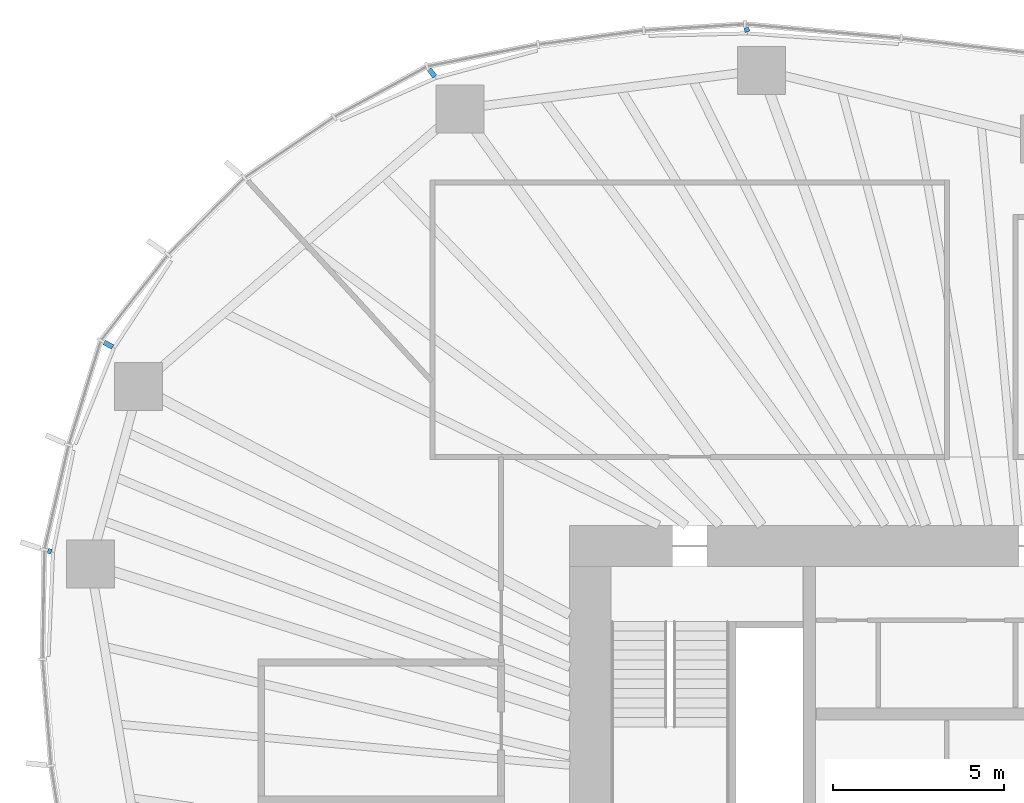
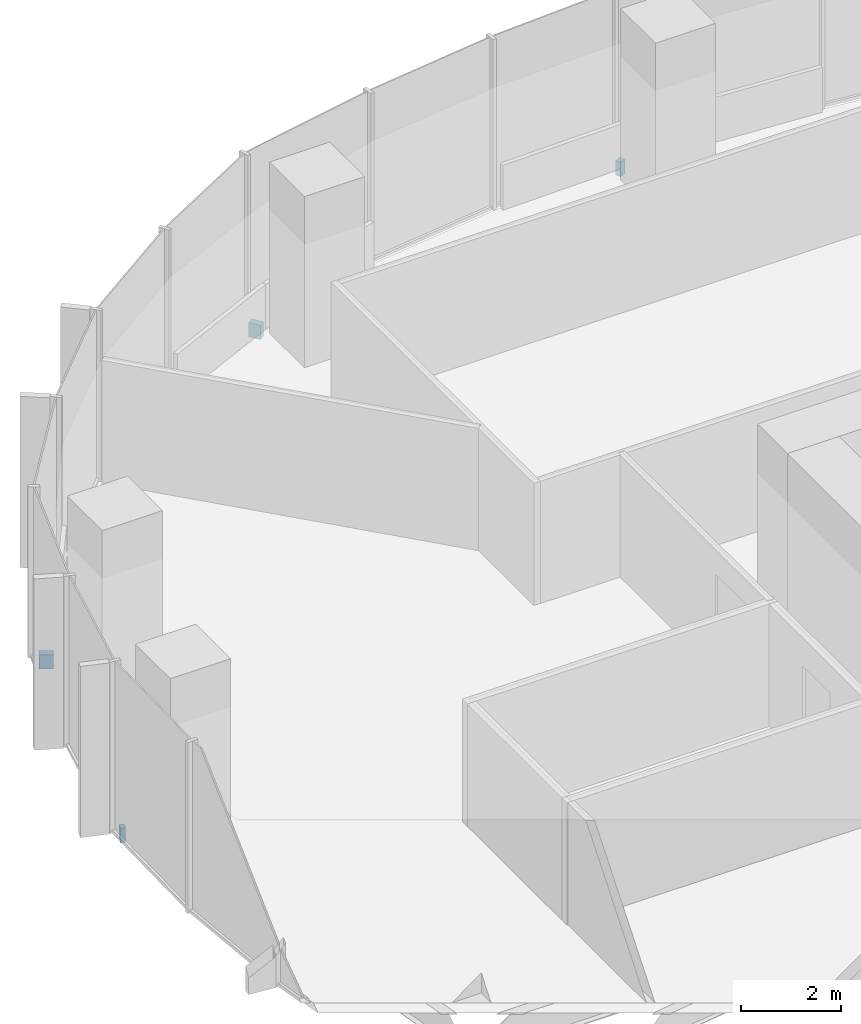
# One storey, part 15 of 18: 4 discrete accessories.
"""IFC4 building model written with IfcOpenShell, lengths in metres."""

from ifc_helpers import new_model, si_unit, direction, frame, origin, origin_2d, place, context, subcontext, project, spatial, rectangle, extrude, material, type_object, element, save


model = new_model("IFC4")

# Units and contexts
model_context = context("Model", 3, precision=1e-05, world=origin(), true_north=direction((0.0, 1.0)))
body_context = subcontext(model_context, "Body", "Model", "MODEL_VIEW")
ifc_project = project(units=[si_unit("LENGTHUNIT", "METRE"), si_unit("AREAUNIT", "SQUARE_METRE"), si_unit("VOLUMEUNIT", "CUBIC_METRE"), si_unit("PLANEANGLEUNIT", "RADIAN"), si_unit("MASSUNIT", "GRAM", prefix="KILO")], contexts=[model_context])

# Site, building, storey
site_placement = place(None, origin())
site = spatial("IfcSite", under=ifc_project, at=site_placement, CompositionType="ELEMENT")
building_placement = place(site_placement, origin())
building = spatial("IfcBuilding", under=site, at=building_placement, Name="Ghaith Harvest Tower", CompositionType="ELEMENT")
storey_placement = place(building_placement, frame((0.0, 0.0, 147.0)))
storey = spatial("IfcBuildingStorey", under=building, at=storey_placement, Name="L31", CompositionType="ELEMENT", Elevation=147.0)

# Discrete accessories
ifc_material_1 = material(Name="Stainless steel grade 1.4401", Category="steel")
discrete_accessory_type_1 = type_object("IfcDiscreteAccessoryType", Name="CURTAIN WALL BRACKET 105", PredefinedType="BRACKET", material=ifc_material_1)
discrete_accessory_1_placement = place(storey_placement, frame((-29.171875, 9.2451171875, -0.25), z_axis=(0.0, 0.0, 1.0), x_axis=(-0.953273219358, 0.302109531884, 0.0)))
element("IfcDiscreteAccessory", 1, at=discrete_accessory_1_placement, inside=storey, type_object=discrete_accessory_type_1, Name="CW-L bracket 1 bay 10 L31", PredefinedType="BRACKET", context=body_context, shape_type="SweptSolid", body=[
    extrude(rectangle(XDim=0.10498046875, YDim=0.14990234375, at=origin_2d()), origin(), (0.0, 0.0, 1.0), 0.35009765625),
])
ifc_material_2 = material(Name="Stainless steel grade 1.4401", Category="steel")
discrete_accessory_type_2 = type_object("IfcDiscreteAccessoryType", Name="CURTAIN WALL BRACKET 125", PredefinedType="BRACKET", material=ifc_material_2)
discrete_accessory_2_placement = place(storey_placement, frame((-8.833984375, 24.45849609375, -0.25), z_axis=(0.0, 0.0, 1.0), x_axis=(-0.339699453402, 0.94053404051, 0.0)))
element("IfcDiscreteAccessory", 2, at=discrete_accessory_2_placement, inside=storey, type_object=discrete_accessory_type_2, Name="CW-L bracket 1 bay 07 L31", PredefinedType="BRACKET", context=body_context, shape_type="SweptSolid", body=[
    extrude(rectangle(XDim=0.125, YDim=0.14990234375, at=origin_2d()), origin(), (0.0, 0.0, 1.0), 0.35009765625),
])
ifc_material_3 = material(Name="Stainless steel grade 1.4401", Category="steel")
discrete_accessory_type_3 = type_object("IfcDiscreteAccessoryType", Name="CURTAIN WALL BRACKET 265", PredefinedType="BRACKET", material=ifc_material_3)
discrete_accessory_3_placement = place(storey_placement, frame((-18.0166015625, 23.197998046875, -0.25), z_axis=(0.0, 0.0, 1.0), x_axis=(-0.613377714422, 0.78978970584, 0.0)))
element("IfcDiscreteAccessory", 3, at=discrete_accessory_3_placement, inside=storey, type_object=discrete_accessory_type_3, Name="CW-L bracket 1 bay 08 L31", PredefinedType="BRACKET", context=body_context, shape_type="SweptSolid", body=[
    extrude(rectangle(XDim=0.264892578125, YDim=0.14990234375, at=origin_2d()), origin(), (0.0, 0.0, 1.0), 0.35009765625),
])
ifc_material_4 = material(Name="Stainless steel grade 1.4401", Category="steel")
discrete_accessory_type_4 = type_object("IfcDiscreteAccessoryType", Name="CURTAIN WALL BRACKET 285", PredefinedType="BRACKET", material=ifc_material_4)
discrete_accessory_4_placement = place(storey_placement, frame((-27.45849609375, 15.271728515625, -0.25), z_axis=(0.0, 0.0, 1.0), x_axis=(-0.873926916005, 0.486057347935, 0.0)))
element("IfcDiscreteAccessory", 4, at=discrete_accessory_4_placement, inside=storey, type_object=discrete_accessory_type_4, Name="CW-L bracket 2 bay 09 L31", PredefinedType="BRACKET", context=body_context, shape_type="SweptSolid", body=[
    extrude(rectangle(XDim=0.284912109375, YDim=0.14990234375, at=origin_2d()), origin(), (0.0, 0.0, 1.0), 0.35009765625),
])

save(model, "model.ifc")
